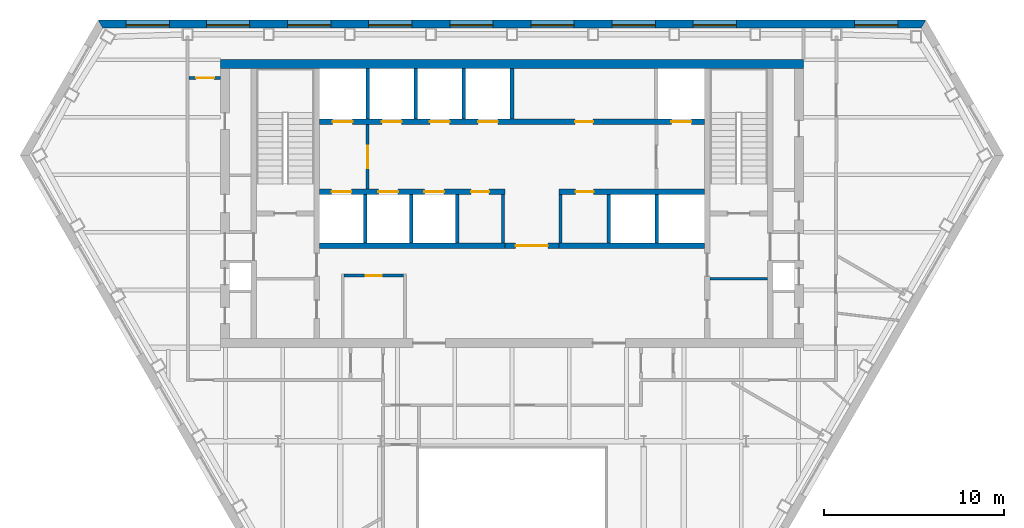
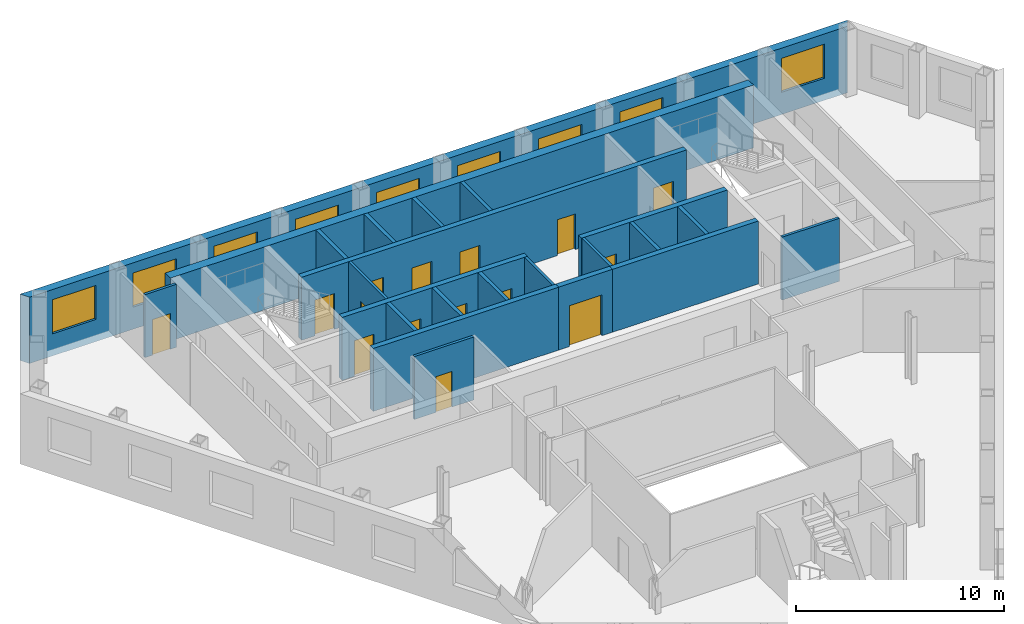
# One storey, part 6 of 10: 23 walls, 15 doors, 9 windows, 24 openings.
"""IFC4 building model written with IfcOpenShell, lengths in metres."""

from ifc_helpers import new_model, si_unit, direction, frame, frame_2d, origin, place, context, subcontext, project, spatial, polyline, rectangle, outline, extrude, material, layer, layer_set, type_object, element, fill, save


model = new_model("IFC4")

# Units and contexts
model_context = context("Model", 3, precision=1e-05, world=origin(), true_north=direction((0.0, 1.0)))
body_context = subcontext(model_context, "Body", "Model", "MODEL_VIEW")
ifc_project = project(units=[si_unit("LENGTHUNIT", "METRE"), si_unit("AREAUNIT", "SQUARE_METRE"), si_unit("VOLUMEUNIT", "CUBIC_METRE"), si_unit("PLANEANGLEUNIT", "RADIAN"), si_unit("MASSUNIT", "GRAM", prefix="KILO")], contexts=[model_context])

# Site, building, storey
site_placement = place(None, origin())
site = spatial("IfcSite", under=ifc_project, at=site_placement, CompositionType="ELEMENT")
building_placement = place(site_placement, origin())
building = spatial("IfcBuilding", under=site, at=building_placement, Name="Njiva Tower", CompositionType="ELEMENT")
storey_placement = place(building_placement, frame((0.0, 0.0, 159.3)))
storey = spatial("IfcBuildingStorey", under=building, at=storey_placement, Name="L34", CompositionType="ELEMENT", Elevation=159.3)

# Walls
ifc_material_1 = material(Name="Blockwork", Category="masonry")
ifc_layer_1 = layer(ifc_material_1, 0.15)
ifc_layer_set_1 = layer_set([ifc_layer_1], Name="Blockwork")
wall_type_1 = type_object("IfcWallType", Name="WT1 Compartment partition 150", PredefinedType="PARTITIONING", material=ifc_layer_set_1)
for number, where, z_axis, x_axis, name in (
    (1, (-0.5, 7.8, 0.0), (0.0, 0.0, 1.0), (0.0, 1.0, 0.0), "Partition CS4"),
    (2, (2.7, 7.8, 0.0), (0.0, 0.0, 1.0), (0.0, 1.0, 0.0), "Partition CS5"),
):
    element("IfcWall", number, at=place(storey_placement, frame(where, z_axis=z_axis, x_axis=x_axis)), inside=storey, type_object=wall_type_1, Name=name, PredefinedType="PARTITIONING", context=body_context, shape_type="SweptSolid", body=[
        extrude(rectangle(XDim=2.7, YDim=0.15, at=frame_2d((1.35, 0.0))), origin(), (0.0, 0.0, 1.0), 3.7),
    ])
wall_1_placement = place(storey_placement, frame((11.0, 5.825, 0.0), z_axis=(0.0, 0.0, 1.0), x_axis=(1.0, 0.0, 0.0)))
element("IfcWall", 3, at=wall_1_placement, inside=storey, type_object=wall_type_1, Name="Room wall B", PredefinedType="PARTITIONING", context=body_context, shape_type="SweptSolid", body=[
    extrude(rectangle(XDim=3.2, YDim=0.15, at=frame_2d((1.6, 0.0))), origin(), (0.0, 0.0, 1.0), 3.7),
])

# Wall, opening, door
wall_2_placement = place(storey_placement, frame((-9.325, 6.0, 0.0), z_axis=(0.0, 0.0, 1.0), x_axis=(1.0, 0.0, 0.0)))
wall_2 = element("IfcWall", 4, at=wall_2_placement, inside=storey, type_object=wall_type_1, Name="Information office wall north", PredefinedType="PARTITIONING", context=body_context, shape_type="SweptSolid", body=[
    extrude(rectangle(XDim=3.3, YDim=0.15, at=frame_2d((1.65, 0.0))), origin(), (0.0, 0.0, 1.0), 3.7),
])
opening_1_placement = place(wall_2_placement, frame((1.2, 0.0, 0.0)))
opening_1 = element("IfcOpeningElement", 5, at=opening_1_placement, cuts=wall_2, Name="Opening S11-D932", PredefinedType="OPENING", context=body_context, shape_type="SweptSolid", body=[
    extrude(rectangle(XDim=0.9, YDim=2.1, at=frame_2d((0.45, 1.05))), frame((0.0, 0.085, 0.0), z_axis=(0.0, -1.0, 0.0), x_axis=(1.0, 0.0, 0.0)), (0.0, 0.0, 1.0), 0.17),
])
ifc_material_2 = material(Name="Steel fire door, painted", Category="steel")
door_type_1 = type_object("IfcDoorType", Name="D6 Fire-rated door 900x2100", OperationType="SINGLE_SWING_LEFT", PredefinedType="DOOR", material=ifc_material_2)
door_1_placement = place(opening_1_placement, origin())
door_1 = element("IfcDoor", 6, at=door_1_placement, inside=storey, type_object=door_type_1, Name="Information office door", OperationType="SINGLE_SWING_RIGHT", OverallHeight=2.1, OverallWidth=0.9, PredefinedType="DOOR", context=body_context, shape_type="SweptSolid", body=[
    extrude(rectangle(XDim=0.9, YDim=2.1, at=frame_2d((0.45, 1.05))), frame((0.0, 0.025, 0.0), z_axis=(0.0, -1.0, 0.0), x_axis=(1.0, 0.0, 0.0)), (0.0, 0.0, 1.0), 0.05),
])
fill(opening_1, door_1)

# Wall
ifc_material_3 = material(Name="Concrete C60/75", Category="concrete")
ifc_layer_2 = layer(ifc_material_3, 0.5)
ifc_layer_set_2 = layer_set([ifc_layer_2], Name="Concrete C60/75")
wall_type_2 = type_object("IfcWallType", Name="WT13 Core wall 500", PredefinedType="SHEAR", material=ifc_layer_set_2)
wall_3_placement = place(storey_placement, frame((-16.2, 17.75, 0.0), z_axis=(0.0, 0.0, 1.0), x_axis=(1.0, 0.0, 0.0)))
element("IfcWall", 7, at=wall_3_placement, inside=storey, type_object=wall_type_2, Name="Core wall north", PredefinedType="SHEAR", context=body_context, shape_type="SweptSolid", body=[
    extrude(rectangle(XDim=32.4, YDim=0.5, at=frame_2d((16.2, 0.0))), origin(), (0.0, 0.0, 1.0), 3.7),
])

# Wall, opening, door
ifc_layer_3 = layer(ifc_material_1, 0.15)
ifc_layer_set_3 = layer_set([ifc_layer_3], Name="Blockwork")
wall_type_3 = type_object("IfcWallType", Name="WT2 Lobby partition 150", PredefinedType="PARTITIONING", material=ifc_layer_set_3)
wall_4_placement = place(storey_placement, frame((-8.025, 10.8, 0.0), z_axis=(0.0, 0.0, 1.0), x_axis=(0.0, 1.0, 0.0)))
wall_4 = element("IfcWall", 8, at=wall_4_placement, inside=storey, type_object=wall_type_3, Name="Firefighting lobby wall A", PredefinedType="PARTITIONING", context=body_context, shape_type="SweptSolid", body=[
    extrude(rectangle(XDim=3.6, YDim=0.15, at=frame_2d((1.8, 0.0))), origin(), (0.0, 0.0, 1.0), 3.7),
])
opening_2_placement = place(wall_4_placement, frame((1.175, 0.0, 0.0)))
opening_2 = element("IfcOpeningElement", 9, at=opening_2_placement, cuts=wall_4, Name="Opening S11-D912", PredefinedType="OPENING", context=body_context, shape_type="SweptSolid", body=[
    extrude(rectangle(XDim=1.25, YDim=2.1, at=frame_2d((0.625, 1.05))), frame((0.0, 0.085, 0.0), z_axis=(0.0, -1.0, 0.0), x_axis=(1.0, 0.0, 0.0)), (0.0, 0.0, 1.0), 0.17),
])
ifc_material_4 = material(Name="Glazed steel fire door", Category="steel")
door_type_2 = type_object("IfcDoorType", Name="D8 Vestibule corridor door 1250x2100 glazed", OperationType="SINGLE_SWING_LEFT", PredefinedType="DOOR", material=ifc_material_4)
door_2_placement = place(opening_2_placement, origin())
door_2 = element("IfcDoor", 10, at=door_2_placement, inside=storey, type_object=door_type_2, Name="Stair vestibule corridor door", OperationType="SINGLE_SWING_RIGHT", OverallHeight=2.1, OverallWidth=1.25, PredefinedType="DOOR", context=body_context, shape_type="SweptSolid", body=[
    extrude(rectangle(XDim=1.25, YDim=2.1, at=frame_2d((0.625, 1.05))), frame((0.0, 0.025, 0.0), z_axis=(0.0, -1.0, 0.0), x_axis=(1.0, 0.0, 0.0)), (0.0, 0.0, 1.0), 0.05),
])
fill(opening_2, door_2)

ifc_material_5 = material(Name="Gypsum board on steel studs", Category="gypsum")
ifc_layer_4 = layer(ifc_material_5, 0.15)
ifc_layer_set_4 = layer_set([ifc_layer_4], Name="Gypsum board on steel studs")
wall_type_4 = type_object("IfcWallType", Name="WT21 Compartment wall 150", PredefinedType="PARTITIONING", material=ifc_layer_set_4)
wall_5_placement = place(storey_placement, frame((-17.952, 16.977, 0.0), z_axis=(0.0, 0.0, 1.0), x_axis=(1.0, 0.0, 0.0)))
wall_5 = element("IfcWall", 11, at=wall_5_placement, inside=storey, type_object=wall_type_4, Name="Partition S11-P003", PredefinedType="PARTITIONING", context=body_context, shape_type="SweptSolid", body=[
    extrude(rectangle(XDim=1.752, YDim=0.15, at=frame_2d((0.876, 0.0))), origin(), (0.0, 0.0, 1.0), 3.7),
])
opening_3_placement = place(wall_5_placement, frame((0.401, 0.0, 0.0)))
opening_3 = element("IfcOpeningElement", 12, at=opening_3_placement, cuts=wall_5, Name="Opening S11-D001", PredefinedType="OPENING", context=body_context, shape_type="SweptSolid", body=[
    extrude(rectangle(XDim=1.0, YDim=2.1, at=frame_2d((0.5, 1.05))), frame((0.0, 0.085, 0.0), z_axis=(0.0, -1.0, 0.0), x_axis=(1.0, 0.0, 0.0)), (0.0, 0.0, 1.0), 0.17),
])
ifc_material_6 = material(Name="Steel fire door set", Category="steel")
door_type_3 = type_object("IfcDoorType", Name="D37 Fire door 1000x2100", OperationType="SINGLE_SWING_LEFT", PredefinedType="DOOR", material=ifc_material_6)
door_3_placement = place(opening_3_placement, origin())
door_3 = element("IfcDoor", 13, at=door_3_placement, inside=storey, type_object=door_type_3, Name="Door S11-D001", OperationType="SINGLE_SWING_LEFT", OverallHeight=2.1, OverallWidth=1.0, PredefinedType="DOOR", context=body_context, shape_type="SweptSolid", body=[
    extrude(rectangle(XDim=1.0, YDim=2.1, at=frame_2d((0.5, 1.05))), frame((0.0, 0.025, 0.0), z_axis=(0.0, -1.0, 0.0), x_axis=(1.0, 0.0, 0.0)), (0.0, 0.0, 1.0), 0.05),
])
fill(opening_3, door_3)

ifc_layer_5 = layer(ifc_material_1, 0.3)
ifc_layer_set_5 = layer_set([ifc_layer_5], Name="Blockwork")
wall_type_5 = type_object("IfcWallType", Name="WT5 Lobby partition 300", PredefinedType="PARTITIONING", material=ifc_layer_set_5)
wall_6_placement = place(storey_placement, frame((-0.4, 7.65, 0.0), z_axis=(0.0, 0.0, 1.0), x_axis=(1.0, 0.0, 0.0)))
wall_6 = element("IfcWall", 14, at=wall_6_placement, inside=storey, type_object=wall_type_5, Name="Lift lobby screen wall", PredefinedType="PARTITIONING", context=body_context, shape_type="SweptSolid", body=[
    extrude(rectangle(XDim=3.0, YDim=0.3, at=frame_2d((1.5, 0.0))), origin(), (0.0, 0.0, 1.0), 3.7),
])
opening_4_placement = place(wall_6_placement, frame((0.6, 0.0, 0.0)))
opening_4 = element("IfcOpeningElement", 15, at=opening_4_placement, cuts=wall_6, Name="Opening S11-D933", PredefinedType="OPENING", context=body_context, shape_type="SweptSolid", body=[
    extrude(rectangle(XDim=1.8, YDim=2.4, at=frame_2d((0.9, 1.2))), frame((0.0, 0.16, 0.0), z_axis=(0.0, -1.0, 0.0), x_axis=(1.0, 0.0, 0.0)), (0.0, 0.0, 1.0), 0.32),
])
ifc_material_7 = material(Name="Steel and glass door", Category="steel")
door_type_4 = type_object("IfcDoorType", Name="D3 Core entrance door 1800x2400", OperationType="DOUBLE_DOOR_SINGLE_SWING", PredefinedType="DOOR", material=ifc_material_7)
door_4_placement = place(opening_4_placement, origin())
door_4 = element("IfcDoor", 16, at=door_4_placement, inside=storey, type_object=door_type_4, Name="Core entrance door", OperationType="DOUBLE_DOOR_SINGLE_SWING", OverallHeight=2.4, OverallWidth=1.8, PredefinedType="DOOR", context=body_context, shape_type="SweptSolid", body=[
    extrude(rectangle(XDim=1.8, YDim=2.4, at=frame_2d((0.9, 1.2))), frame((0.0, 0.025, 0.0), z_axis=(0.0, -1.0, 0.0), x_axis=(1.0, 0.0, 0.0)), (0.0, 0.0, 1.0), 0.05),
])
fill(opening_4, door_4)

# Walls
ifc_material_8 = material(Name="Concrete C40/50", Category="concrete")
ifc_layer_6 = layer(ifc_material_8, 0.2)
ifc_layer_set_6 = layer_set([ifc_layer_6], Name="Concrete C40/50")
wall_type_6 = type_object("IfcWallType", Name="WT6 Lift shaft wall 200", PredefinedType="SHEAR", material=ifc_layer_set_6)
for number, where, z_axis, x_axis, name in (
    (17, (-8.025, 14.7, 0.0), (0.0, 0.0, 1.0), (0.0, 1.0, 0.0), "Shaft wall CN1"),
    (18, (-5.35, 14.7, 0.0), (0.0, 0.0, 1.0), (0.0, 1.0, 0.0), "Shaft wall CN2"),
    (19, (-2.675, 14.7, 0.0), (0.0, 0.0, 1.0), (0.0, 1.0, 0.0), "Shaft wall CN3"),
    (20, (0.0, 14.7, 0.0), (0.0, 0.0, 1.0), (0.0, 1.0, 0.0), "Shaft wall CN4"),
):
    element("IfcWall", number, at=place(storey_placement, frame(where, z_axis=z_axis, x_axis=x_axis)), inside=storey, type_object=wall_type_6, Name=name, PredefinedType="SHEAR", context=body_context, shape_type="SweptSolid", body=[
        extrude(rectangle(XDim=2.8, YDim=0.2, at=frame_2d((1.4, 0.0))), origin(), (0.0, 0.0, 1.0), 3.7),
    ])
for number, where, z_axis, x_axis, name in (
    (21, (-8.15, 7.8, 0.0), (0.0, 0.0, 1.0), (0.0, 1.0, 0.0), "Shaft wall CS1"),
    (22, (-5.6, 7.8, 0.0), (0.0, 0.0, 1.0), (0.0, 1.0, 0.0), "Shaft wall CS2"),
    (23, (-3.05, 7.8, 0.0), (0.0, 0.0, 1.0), (0.0, 1.0, 0.0), "Shaft wall CS3"),
    (24, (5.3667, 7.8, 0.0), (0.0, 0.0, 1.0), (0.0, 1.0, 0.0), "Shaft wall CS6"),
    (25, (8.0333, 7.8, 0.0), (0.0, 0.0, 1.0), (0.0, 1.0, 0.0), "Shaft wall CS7"),
):
    element("IfcWall", number, at=place(storey_placement, frame(where, z_axis=z_axis, x_axis=x_axis)), inside=storey, type_object=wall_type_6, Name=name, PredefinedType="SHEAR", context=body_context, shape_type="SweptSolid", body=[
        extrude(rectangle(XDim=2.7, YDim=0.2, at=frame_2d((1.35, 0.0))), origin(), (0.0, 0.0, 1.0), 3.7),
    ])

# Wall, openings, doors
ifc_layer_7 = layer(ifc_material_8, 0.3)
ifc_layer_set_7 = layer_set([ifc_layer_7], Name="Concrete C40/50")
wall_type_7 = type_object("IfcWallType", Name="WT7 Lift shaft wall 300", PredefinedType="SHEAR", material=ifc_layer_set_7)
wall_7_placement = place(storey_placement, frame((-10.7, 14.55, 0.0), z_axis=(0.0, 0.0, 1.0), x_axis=(1.0, 0.0, 0.0)))
wall_7 = element("IfcWall", 26, at=wall_7_placement, inside=storey, type_object=wall_type_7, Name="Shaft wall north row lobby side", PredefinedType="SHEAR", context=body_context, shape_type="SweptSolid", body=[
    extrude(rectangle(XDim=21.4, YDim=0.3, at=frame_2d((10.7, 0.0))), origin(), (0.0, 0.0, 1.0), 3.7),
])
opening_5_placement = place(wall_7_placement, frame((0.7375, 0.0, 0.0)))
opening_5 = element("IfcOpeningElement", 27, at=opening_5_placement, cuts=wall_7, Name="Opening S11-D901", PredefinedType="OPENING", context=body_context, shape_type="SweptSolid", body=[
    extrude(rectangle(XDim=1.1, YDim=2.1, at=frame_2d((0.55, 1.05))), frame((0.0, 0.16, 0.0), z_axis=(0.0, -1.0, 0.0), x_axis=(1.0, 0.0, 0.0)), (0.0, 0.0, 1.0), 0.32),
])
opening_6_placement = place(wall_7_placement, frame((3.4625, 0.0, 0.0)))
opening_6 = element("IfcOpeningElement", 28, at=opening_6_placement, cuts=wall_7, Name="Opening S11-D902", PredefinedType="OPENING", context=body_context, shape_type="SweptSolid", body=[
    extrude(rectangle(XDim=1.1, YDim=2.1, at=frame_2d((0.55, 1.05))), frame((0.0, 0.16, 0.0), z_axis=(0.0, -1.0, 0.0), x_axis=(1.0, 0.0, 0.0)), (0.0, 0.0, 1.0), 0.32),
])
opening_7_placement = place(wall_7_placement, frame((6.1375, 0.0, 0.0)))
opening_7 = element("IfcOpeningElement", 29, at=opening_7_placement, cuts=wall_7, Name="Opening S11-D903", PredefinedType="OPENING", context=body_context, shape_type="SweptSolid", body=[
    extrude(rectangle(XDim=1.1, YDim=2.1, at=frame_2d((0.55, 1.05))), frame((0.0, 0.16, 0.0), z_axis=(0.0, -1.0, 0.0), x_axis=(1.0, 0.0, 0.0)), (0.0, 0.0, 1.0), 0.32),
])
opening_8_placement = place(wall_7_placement, frame((8.8125, 0.0, 0.0)))
opening_8 = element("IfcOpeningElement", 30, at=opening_8_placement, cuts=wall_7, Name="Opening S11-D904", PredefinedType="OPENING", context=body_context, shape_type="SweptSolid", body=[
    extrude(rectangle(XDim=1.1, YDim=2.1, at=frame_2d((0.55, 1.05))), frame((0.0, 0.16, 0.0), z_axis=(0.0, -1.0, 0.0), x_axis=(1.0, 0.0, 0.0)), (0.0, 0.0, 1.0), 0.32),
])
opening_9_placement = place(wall_7_placement, frame((19.5625, 0.0, 0.0)))
opening_9 = element("IfcOpeningElement", 31, at=opening_9_placement, cuts=wall_7, Name="Opening S11-D905", PredefinedType="OPENING", context=body_context, shape_type="SweptSolid", body=[
    extrude(rectangle(XDim=1.1, YDim=2.1, at=frame_2d((0.55, 1.05))), frame((0.0, 0.16, 0.0), z_axis=(0.0, -1.0, 0.0), x_axis=(1.0, 0.0, 0.0)), (0.0, 0.0, 1.0), 0.32),
])
opening_10_placement = place(wall_7_placement, frame((14.2125, 0.0, 0.0)))
opening_10 = element("IfcOpeningElement", 32, at=opening_10_placement, cuts=wall_7, Name="Opening S11-D909", PredefinedType="OPENING", context=body_context, shape_type="SweptSolid", body=[
    extrude(rectangle(XDim=1.0, YDim=2.1, at=frame_2d((0.5, 1.05))), frame((0.0, 0.16, 0.0), z_axis=(0.0, -1.0, 0.0), x_axis=(1.0, 0.0, 0.0)), (0.0, 0.0, 1.0), 0.32),
])
ifc_material_9 = material(Name="Steel door, painted", Category="steel")
door_type_5 = type_object("IfcDoorType", Name="D5 Steel door 1000x2100", OperationType="SINGLE_SWING_LEFT", PredefinedType="DOOR", material=ifc_material_9)
door_5_placement = place(opening_10_placement, origin())
door_5 = element("IfcDoor", 33, at=door_5_placement, inside=storey, type_object=door_type_5, Name="Meeting room door", OperationType="SINGLE_SWING_LEFT", OverallHeight=2.1, OverallWidth=1.0, PredefinedType="DOOR", context=body_context, shape_type="SweptSolid", body=[
    extrude(rectangle(XDim=1.0, YDim=2.1, at=frame_2d((0.5, 1.05))), frame((0.0, 0.025, 0.0), z_axis=(0.0, -1.0, 0.0), x_axis=(1.0, 0.0, 0.0)), (0.0, 0.0, 1.0), 0.05),
])
fill(opening_10, door_5)
ifc_material_10 = material(Name="Stainless steel sliding door", Category="steel")
door_type_6 = type_object("IfcDoorType", Name="LD Lift landing door 1100x2100", OperationType="SLIDING_TO_LEFT", PredefinedType="DOOR", material=ifc_material_10)
door_6_placement = place(opening_5_placement, origin())
door_6 = element("IfcDoor", 34, at=door_6_placement, inside=storey, type_object=door_type_6, Name="Lift landing door FF1", OperationType="SLIDING_TO_LEFT", OverallHeight=2.1, OverallWidth=1.1, PredefinedType="DOOR", context=body_context, shape_type="SweptSolid", body=[
    extrude(rectangle(XDim=1.1, YDim=2.1, at=frame_2d((0.55, 1.05))), frame((0.0, 0.025, 0.0), z_axis=(0.0, -1.0, 0.0), x_axis=(1.0, 0.0, 0.0)), (0.0, 0.0, 1.0), 0.05),
])
fill(opening_5, door_6)
door_7_placement = place(opening_6_placement, origin())
door_7 = element("IfcDoor", 35, at=door_7_placement, inside=storey, type_object=door_type_6, Name="Lift landing door MB4", OperationType="SLIDING_TO_LEFT", OverallHeight=2.1, OverallWidth=1.1, PredefinedType="DOOR", context=body_context, shape_type="SweptSolid", body=[
    extrude(rectangle(XDim=1.1, YDim=2.1, at=frame_2d((0.55, 1.05))), frame((0.0, 0.025, 0.0), z_axis=(0.0, -1.0, 0.0), x_axis=(1.0, 0.0, 0.0)), (0.0, 0.0, 1.0), 0.05),
])
fill(opening_6, door_7)
door_8_placement = place(opening_7_placement, origin())
door_8 = element("IfcDoor", 36, at=door_8_placement, inside=storey, type_object=door_type_6, Name="Lift landing door MB5", OperationType="SLIDING_TO_LEFT", OverallHeight=2.1, OverallWidth=1.1, PredefinedType="DOOR", context=body_context, shape_type="SweptSolid", body=[
    extrude(rectangle(XDim=1.1, YDim=2.1, at=frame_2d((0.55, 1.05))), frame((0.0, 0.025, 0.0), z_axis=(0.0, -1.0, 0.0), x_axis=(1.0, 0.0, 0.0)), (0.0, 0.0, 1.0), 0.05),
])
fill(opening_7, door_8)
door_9_placement = place(opening_8_placement, origin())
door_9 = element("IfcDoor", 37, at=door_9_placement, inside=storey, type_object=door_type_6, Name="Lift landing door MB6", OperationType="SLIDING_TO_LEFT", OverallHeight=2.1, OverallWidth=1.1, PredefinedType="DOOR", context=body_context, shape_type="SweptSolid", body=[
    extrude(rectangle(XDim=1.1, YDim=2.1, at=frame_2d((0.55, 1.05))), frame((0.0, 0.025, 0.0), z_axis=(0.0, -1.0, 0.0), x_axis=(1.0, 0.0, 0.0)), (0.0, 0.0, 1.0), 0.05),
])
fill(opening_8, door_9)
door_10_placement = place(opening_9_placement, origin())
door_10 = element("IfcDoor", 38, at=door_10_placement, inside=storey, type_object=door_type_6, Name="Lift landing door FF2", OperationType="SLIDING_TO_LEFT", OverallHeight=2.1, OverallWidth=1.1, PredefinedType="DOOR", context=body_context, shape_type="SweptSolid", body=[
    extrude(rectangle(XDim=1.1, YDim=2.1, at=frame_2d((0.55, 1.05))), frame((0.0, 0.025, 0.0), z_axis=(0.0, -1.0, 0.0), x_axis=(1.0, 0.0, 0.0)), (0.0, 0.0, 1.0), 0.05),
])
fill(opening_9, door_10)

wall_8_placement = place(storey_placement, frame((-10.7, 10.65, 0.0), z_axis=(0.0, 0.0, 1.0), x_axis=(1.0, 0.0, 0.0)))
wall_8 = element("IfcWall", 39, at=wall_8_placement, inside=storey, type_object=wall_type_7, Name="Shaft wall south row lobby side W", PredefinedType="SHEAR", context=body_context, shape_type="SweptSolid", body=[
    extrude(rectangle(XDim=10.3, YDim=0.3, at=frame_2d((5.15, 0.0))), origin(), (0.0, 0.0, 1.0), 3.7),
])
opening_11_placement = place(wall_8_placement, frame((0.675, 0.0, 0.0)))
opening_11 = element("IfcOpeningElement", 40, at=opening_11_placement, cuts=wall_8, Name="Opening S11-D906", PredefinedType="OPENING", context=body_context, shape_type="SweptSolid", body=[
    extrude(rectangle(XDim=1.1, YDim=2.1, at=frame_2d((0.55, 1.05))), frame((0.0, 0.16, 0.0), z_axis=(0.0, -1.0, 0.0), x_axis=(1.0, 0.0, 0.0)), (0.0, 0.0, 1.0), 0.32),
])
opening_12_placement = place(wall_8_placement, frame((3.275, 0.0, 0.0)))
opening_12 = element("IfcOpeningElement", 41, at=opening_12_placement, cuts=wall_8, Name="Opening S11-D907", PredefinedType="OPENING", context=body_context, shape_type="SweptSolid", body=[
    extrude(rectangle(XDim=1.1, YDim=2.1, at=frame_2d((0.55, 1.05))), frame((0.0, 0.16, 0.0), z_axis=(0.0, -1.0, 0.0), x_axis=(1.0, 0.0, 0.0)), (0.0, 0.0, 1.0), 0.32),
])
opening_13_placement = place(wall_8_placement, frame((5.825, 0.0, 0.0)))
opening_13 = element("IfcOpeningElement", 42, at=opening_13_placement, cuts=wall_8, Name="Opening S11-D908", PredefinedType="OPENING", context=body_context, shape_type="SweptSolid", body=[
    extrude(rectangle(XDim=1.1, YDim=2.1, at=frame_2d((0.55, 1.05))), frame((0.0, 0.16, 0.0), z_axis=(0.0, -1.0, 0.0), x_axis=(1.0, 0.0, 0.0)), (0.0, 0.0, 1.0), 0.32),
])
opening_14_placement = place(wall_8_placement, frame((8.425, 0.0, 0.0)))
opening_14 = element("IfcOpeningElement", 43, at=opening_14_placement, cuts=wall_8, Name="Opening S11-D910", PredefinedType="OPENING", context=body_context, shape_type="SweptSolid", body=[
    extrude(rectangle(XDim=1.0, YDim=2.1, at=frame_2d((0.5, 1.05))), frame((0.0, 0.16, 0.0), z_axis=(0.0, -1.0, 0.0), x_axis=(1.0, 0.0, 0.0)), (0.0, 0.0, 1.0), 0.32),
])
door_11_placement = place(opening_14_placement, origin())
door_11 = element("IfcDoor", 44, at=door_11_placement, inside=storey, type_object=door_type_5, Name="First aid room door", OperationType="SINGLE_SWING_RIGHT", OverallHeight=2.1, OverallWidth=1.0, PredefinedType="DOOR", context=body_context, shape_type="SweptSolid", body=[
    extrude(rectangle(XDim=1.0, YDim=2.1, at=frame_2d((0.5, 1.05))), frame((0.0, 0.025, 0.0), z_axis=(0.0, -1.0, 0.0), x_axis=(1.0, 0.0, 0.0)), (0.0, 0.0, 1.0), 0.05),
])
fill(opening_14, door_11)
door_12_placement = place(opening_11_placement, origin())
door_12 = element("IfcDoor", 45, at=door_12_placement, inside=storey, type_object=door_type_6, Name="Lift landing door MB1", OperationType="SLIDING_TO_LEFT", OverallHeight=2.1, OverallWidth=1.1, PredefinedType="DOOR", context=body_context, shape_type="SweptSolid", body=[
    extrude(rectangle(XDim=1.1, YDim=2.1, at=frame_2d((0.55, 1.05))), frame((0.0, 0.025, 0.0), z_axis=(0.0, -1.0, 0.0), x_axis=(1.0, 0.0, 0.0)), (0.0, 0.0, 1.0), 0.05),
])
fill(opening_11, door_12)
door_13_placement = place(opening_12_placement, origin())
door_13 = element("IfcDoor", 46, at=door_13_placement, inside=storey, type_object=door_type_6, Name="Lift landing door MB2", OperationType="SLIDING_TO_LEFT", OverallHeight=2.1, OverallWidth=1.1, PredefinedType="DOOR", context=body_context, shape_type="SweptSolid", body=[
    extrude(rectangle(XDim=1.1, YDim=2.1, at=frame_2d((0.55, 1.05))), frame((0.0, 0.025, 0.0), z_axis=(0.0, -1.0, 0.0), x_axis=(1.0, 0.0, 0.0)), (0.0, 0.0, 1.0), 0.05),
])
fill(opening_12, door_13)
door_14_placement = place(opening_13_placement, origin())
door_14 = element("IfcDoor", 47, at=door_14_placement, inside=storey, type_object=door_type_6, Name="Lift landing door MB3", OperationType="SLIDING_TO_LEFT", OverallHeight=2.1, OverallWidth=1.1, PredefinedType="DOOR", context=body_context, shape_type="SweptSolid", body=[
    extrude(rectangle(XDim=1.1, YDim=2.1, at=frame_2d((0.55, 1.05))), frame((0.0, 0.025, 0.0), z_axis=(0.0, -1.0, 0.0), x_axis=(1.0, 0.0, 0.0)), (0.0, 0.0, 1.0), 0.05),
])
fill(opening_13, door_14)

# Wall
wall_9_placement = place(storey_placement, frame((-10.7, 7.65, 0.0), z_axis=(0.0, 0.0, 1.0), x_axis=(1.0, 0.0, 0.0)))
element("IfcWall", 48, at=wall_9_placement, inside=storey, type_object=wall_type_7, Name="Shaft wall south row back W", PredefinedType="SHEAR", context=body_context, shape_type="SweptSolid", body=[
    extrude(rectangle(XDim=10.3, YDim=0.3, at=frame_2d((5.15, 0.0))), origin(), (0.0, 0.0, 1.0), 3.7),
])

# Wall, opening, door
wall_10_placement = place(storey_placement, frame((2.6, 10.65, 0.0), z_axis=(0.0, 0.0, 1.0), x_axis=(1.0, 0.0, 0.0)))
wall_10 = element("IfcWall", 49, at=wall_10_placement, inside=storey, type_object=wall_type_7, Name="Shaft wall south row lobby side E", PredefinedType="SHEAR", context=body_context, shape_type="SweptSolid", body=[
    extrude(rectangle(XDim=8.1, YDim=0.3, at=frame_2d((4.05, 0.0))), origin(), (0.0, 0.0, 1.0), 3.7),
])
opening_15_placement = place(wall_10_placement, frame((0.9334, 0.0, 0.0)))
opening_15 = element("IfcOpeningElement", 50, at=opening_15_placement, cuts=wall_10, Name="Opening S11-D911", PredefinedType="OPENING", context=body_context, shape_type="SweptSolid", body=[
    extrude(rectangle(XDim=1.0, YDim=2.1, at=frame_2d((0.5, 1.05))), frame((0.0, 0.16, 0.0), z_axis=(0.0, -1.0, 0.0), x_axis=(1.0, 0.0, 0.0)), (0.0, 0.0, 1.0), 0.32),
])
door_15_placement = place(opening_15_placement, origin())
door_15 = element("IfcDoor", 51, at=door_15_placement, inside=storey, type_object=door_type_5, Name="Breakout room door", OperationType="SINGLE_SWING_LEFT", OverallHeight=2.1, OverallWidth=1.0, PredefinedType="DOOR", context=body_context, shape_type="SweptSolid", body=[
    extrude(rectangle(XDim=1.0, YDim=2.1, at=frame_2d((0.5, 1.05))), frame((0.0, 0.025, 0.0), z_axis=(0.0, -1.0, 0.0), x_axis=(1.0, 0.0, 0.0)), (0.0, 0.0, 1.0), 0.05),
])
fill(opening_15, door_15)

# Wall
wall_11_placement = place(storey_placement, frame((2.6, 7.65, 0.0), z_axis=(0.0, 0.0, 1.0), x_axis=(1.0, 0.0, 0.0)))
element("IfcWall", 52, at=wall_11_placement, inside=storey, type_object=wall_type_7, Name="Shaft wall south row back E", PredefinedType="SHEAR", context=body_context, shape_type="SweptSolid", body=[
    extrude(rectangle(XDim=8.1, YDim=0.3, at=frame_2d((4.05, 0.0))), origin(), (0.0, 0.0, 1.0), 3.7),
])

# Wall, openings, windows
ifc_material_11 = material(Name="Brick masonry", Category="masonry")
ifc_layer_8 = layer(ifc_material_11, 0.45)
ifc_layer_set_8 = layer_set([ifc_layer_8], Name="Brick masonry")
wall_type_8 = type_object("IfcWallType", Name="WT90 Brick pier and spandrel wall 450", PredefinedType="SOLIDWALL", material=ifc_layer_set_8)
wall_12_placement = place(storey_placement, frame((22.8651, 19.975, -0.4), z_axis=(0.0, 0.0, 1.0), x_axis=(-1.0, 0.0, 0.0)))
wall_12 = element("IfcWall", 53, at=wall_12_placement, inside=storey, type_object=wall_type_8, Name="Facade wall N", PredefinedType="SOLIDWALL", context=body_context, shape_type="SweptSolid", body=[
    extrude(outline(polyline([(-0.1299, -0.225), (45.8601, -0.225), (45.6003, 0.225), (0.1299, 0.225), (-0.1299, -0.225)])), origin(), (0.0, 0.0, 1.0), 3.9),
])
opening_16_placement = place(wall_12_placement, frame((1.4237, 0.0, 1.3)))
opening_16 = element("IfcOpeningElement", 54, at=opening_16_placement, cuts=wall_12, Name="Opening S11-W01", PredefinedType="OPENING", context=body_context, shape_type="SweptSolid", body=[
    extrude(rectangle(XDim=2.4, YDim=2.0, at=frame_2d((1.2, 1.0))), frame((0.0, 0.235, 0.0), z_axis=(0.0, -1.0, 0.0), x_axis=(1.0, 0.0, 0.0)), (0.0, 0.0, 1.0), 0.47),
])
opening_17_placement = place(wall_12_placement, frame((10.3985, 0.0, 1.3)))
opening_17 = element("IfcOpeningElement", 55, at=opening_17_placement, cuts=wall_12, Name="Opening S11-W02", PredefinedType="OPENING", context=body_context, shape_type="SweptSolid", body=[
    extrude(rectangle(XDim=2.4, YDim=2.0, at=frame_2d((1.2, 1.0))), frame((0.0, 0.235, 0.0), z_axis=(0.0, -1.0, 0.0), x_axis=(1.0, 0.0, 0.0)), (0.0, 0.0, 1.0), 0.47),
])
opening_18_placement = place(wall_12_placement, frame((14.9052, 0.0, 1.3)))
opening_18 = element("IfcOpeningElement", 56, at=opening_18_placement, cuts=wall_12, Name="Opening S11-W03", PredefinedType="OPENING", context=body_context, shape_type="SweptSolid", body=[
    extrude(rectangle(XDim=2.4, YDim=2.0, at=frame_2d((1.2, 1.0))), frame((0.0, 0.235, 0.0), z_axis=(0.0, -1.0, 0.0), x_axis=(1.0, 0.0, 0.0)), (0.0, 0.0, 1.0), 0.47),
])
opening_19_placement = place(wall_12_placement, frame((19.4118, 0.0, 1.3)))
opening_19 = element("IfcOpeningElement", 57, at=opening_19_placement, cuts=wall_12, Name="Opening S11-W04", PredefinedType="OPENING", context=body_context, shape_type="SweptSolid", body=[
    extrude(rectangle(XDim=2.4, YDim=2.0, at=frame_2d((1.2, 1.0))), frame((0.0, 0.235, 0.0), z_axis=(0.0, -1.0, 0.0), x_axis=(1.0, 0.0, 0.0)), (0.0, 0.0, 1.0), 0.47),
])
opening_20_placement = place(wall_12_placement, frame((23.9184, 0.0, 1.3)))
opening_20 = element("IfcOpeningElement", 58, at=opening_20_placement, cuts=wall_12, Name="Opening S11-W05", PredefinedType="OPENING", context=body_context, shape_type="SweptSolid", body=[
    extrude(rectangle(XDim=2.4, YDim=2.0, at=frame_2d((1.2, 1.0))), frame((0.0, 0.235, 0.0), z_axis=(0.0, -1.0, 0.0), x_axis=(1.0, 0.0, 0.0)), (0.0, 0.0, 1.0), 0.47),
])
opening_21_placement = place(wall_12_placement, frame((28.425, 0.0, 1.3)))
opening_21 = element("IfcOpeningElement", 59, at=opening_21_placement, cuts=wall_12, Name="Opening S11-W06", PredefinedType="OPENING", context=body_context, shape_type="SweptSolid", body=[
    extrude(rectangle(XDim=2.4, YDim=2.0, at=frame_2d((1.2, 1.0))), frame((0.0, 0.235, 0.0), z_axis=(0.0, -1.0, 0.0), x_axis=(1.0, 0.0, 0.0)), (0.0, 0.0, 1.0), 0.47),
])
opening_22_placement = place(wall_12_placement, frame((32.9316, 0.0, 1.3)))
opening_22 = element("IfcOpeningElement", 60, at=opening_22_placement, cuts=wall_12, Name="Opening S11-W07", PredefinedType="OPENING", context=body_context, shape_type="SweptSolid", body=[
    extrude(rectangle(XDim=2.4, YDim=2.0, at=frame_2d((1.2, 1.0))), frame((0.0, 0.235, 0.0), z_axis=(0.0, -1.0, 0.0), x_axis=(1.0, 0.0, 0.0)), (0.0, 0.0, 1.0), 0.47),
])
opening_23_placement = place(wall_12_placement, frame((37.4383, 0.0, 1.3)))
opening_23 = element("IfcOpeningElement", 61, at=opening_23_placement, cuts=wall_12, Name="Opening S11-W08", PredefinedType="OPENING", context=body_context, shape_type="SweptSolid", body=[
    extrude(rectangle(XDim=2.4, YDim=2.0, at=frame_2d((1.2, 1.0))), frame((0.0, 0.235, 0.0), z_axis=(0.0, -1.0, 0.0), x_axis=(1.0, 0.0, 0.0)), (0.0, 0.0, 1.0), 0.47),
])
opening_24_placement = place(wall_12_placement, frame((41.9065, 0.0, 1.3)))
opening_24 = element("IfcOpeningElement", 62, at=opening_24_placement, cuts=wall_12, Name="Opening S11-W09", PredefinedType="OPENING", context=body_context, shape_type="SweptSolid", body=[
    extrude(rectangle(XDim=2.4, YDim=2.0, at=frame_2d((1.2, 1.0))), frame((0.0, 0.235, 0.0), z_axis=(0.0, -1.0, 0.0), x_axis=(1.0, 0.0, 0.0)), (0.0, 0.0, 1.0), 0.47),
])
ifc_material_12 = material(Name="Clear glazing in aluminium frame", Category="aluminium")
window_type = type_object("IfcWindowType", Name="W90 Deep-set window 2400x2000", PartitioningType="SINGLE_PANEL", PredefinedType="WINDOW", material=ifc_material_12)
window_1_placement = place(opening_16_placement, origin())
window_1 = element("IfcWindow", 63, at=window_1_placement, inside=storey, type_object=window_type, Name="Window", OverallHeight=2.0, OverallWidth=2.4, PartitioningType="SINGLE_PANEL", PredefinedType="WINDOW", context=body_context, shape_type="SweptSolid", body=[
    extrude(rectangle(XDim=2.4, YDim=2.0, at=frame_2d((1.2, 1.0))), frame((0.0, 0.105, 0.0), z_axis=(0.0, -1.0, 0.0), x_axis=(1.0, 0.0, 0.0)), (0.0, 0.0, 1.0), 0.06),
])
fill(opening_16, window_1)
window_2_placement = place(opening_17_placement, origin())
window_2 = element("IfcWindow", 64, at=window_2_placement, inside=storey, type_object=window_type, Name="Window", OverallHeight=2.0, OverallWidth=2.4, PartitioningType="SINGLE_PANEL", PredefinedType="WINDOW", context=body_context, shape_type="SweptSolid", body=[
    extrude(rectangle(XDim=2.4, YDim=2.0, at=frame_2d((1.2, 1.0))), frame((0.0, 0.105, 0.0), z_axis=(0.0, -1.0, 0.0), x_axis=(1.0, 0.0, 0.0)), (0.0, 0.0, 1.0), 0.06),
])
fill(opening_17, window_2)
window_3_placement = place(opening_18_placement, origin())
window_3 = element("IfcWindow", 65, at=window_3_placement, inside=storey, type_object=window_type, Name="Window", OverallHeight=2.0, OverallWidth=2.4, PartitioningType="SINGLE_PANEL", PredefinedType="WINDOW", context=body_context, shape_type="SweptSolid", body=[
    extrude(rectangle(XDim=2.4, YDim=2.0, at=frame_2d((1.2, 1.0))), frame((0.0, 0.105, 0.0), z_axis=(0.0, -1.0, 0.0), x_axis=(1.0, 0.0, 0.0)), (0.0, 0.0, 1.0), 0.06),
])
fill(opening_18, window_3)
window_4_placement = place(opening_19_placement, origin())
window_4 = element("IfcWindow", 66, at=window_4_placement, inside=storey, type_object=window_type, Name="Window", OverallHeight=2.0, OverallWidth=2.4, PartitioningType="SINGLE_PANEL", PredefinedType="WINDOW", context=body_context, shape_type="SweptSolid", body=[
    extrude(rectangle(XDim=2.4, YDim=2.0, at=frame_2d((1.2, 1.0))), frame((0.0, 0.105, 0.0), z_axis=(0.0, -1.0, 0.0), x_axis=(1.0, 0.0, 0.0)), (0.0, 0.0, 1.0), 0.06),
])
fill(opening_19, window_4)
window_5_placement = place(opening_20_placement, origin())
window_5 = element("IfcWindow", 67, at=window_5_placement, inside=storey, type_object=window_type, Name="Window", OverallHeight=2.0, OverallWidth=2.4, PartitioningType="SINGLE_PANEL", PredefinedType="WINDOW", context=body_context, shape_type="SweptSolid", body=[
    extrude(rectangle(XDim=2.4, YDim=2.0, at=frame_2d((1.2, 1.0))), frame((0.0, 0.105, 0.0), z_axis=(0.0, -1.0, 0.0), x_axis=(1.0, 0.0, 0.0)), (0.0, 0.0, 1.0), 0.06),
])
fill(opening_20, window_5)
window_6_placement = place(opening_21_placement, origin())
window_6 = element("IfcWindow", 68, at=window_6_placement, inside=storey, type_object=window_type, Name="Window", OverallHeight=2.0, OverallWidth=2.4, PartitioningType="SINGLE_PANEL", PredefinedType="WINDOW", context=body_context, shape_type="SweptSolid", body=[
    extrude(rectangle(XDim=2.4, YDim=2.0, at=frame_2d((1.2, 1.0))), frame((0.0, 0.105, 0.0), z_axis=(0.0, -1.0, 0.0), x_axis=(1.0, 0.0, 0.0)), (0.0, 0.0, 1.0), 0.06),
])
fill(opening_21, window_6)
window_7_placement = place(opening_22_placement, origin())
window_7 = element("IfcWindow", 69, at=window_7_placement, inside=storey, type_object=window_type, Name="Window", OverallHeight=2.0, OverallWidth=2.4, PartitioningType="SINGLE_PANEL", PredefinedType="WINDOW", context=body_context, shape_type="SweptSolid", body=[
    extrude(rectangle(XDim=2.4, YDim=2.0, at=frame_2d((1.2, 1.0))), frame((0.0, 0.105, 0.0), z_axis=(0.0, -1.0, 0.0), x_axis=(1.0, 0.0, 0.0)), (0.0, 0.0, 1.0), 0.06),
])
fill(opening_22, window_7)
window_8_placement = place(opening_23_placement, origin())
window_8 = element("IfcWindow", 70, at=window_8_placement, inside=storey, type_object=window_type, Name="Window", OverallHeight=2.0, OverallWidth=2.4, PartitioningType="SINGLE_PANEL", PredefinedType="WINDOW", context=body_context, shape_type="SweptSolid", body=[
    extrude(rectangle(XDim=2.4, YDim=2.0, at=frame_2d((1.2, 1.0))), frame((0.0, 0.105, 0.0), z_axis=(0.0, -1.0, 0.0), x_axis=(1.0, 0.0, 0.0)), (0.0, 0.0, 1.0), 0.06),
])
fill(opening_23, window_8)
window_9_placement = place(opening_24_placement, origin())
window_9 = element("IfcWindow", 71, at=window_9_placement, inside=storey, type_object=window_type, Name="Window", OverallHeight=2.0, OverallWidth=2.4, PartitioningType="SINGLE_PANEL", PredefinedType="WINDOW", context=body_context, shape_type="SweptSolid", body=[
    extrude(rectangle(XDim=2.4, YDim=2.0, at=frame_2d((1.2, 1.0))), frame((0.0, 0.105, 0.0), z_axis=(0.0, -1.0, 0.0), x_axis=(1.0, 0.0, 0.0)), (0.0, 0.0, 1.0), 0.06),
])
fill(opening_24, window_9)

save(model, "model.ifc")
